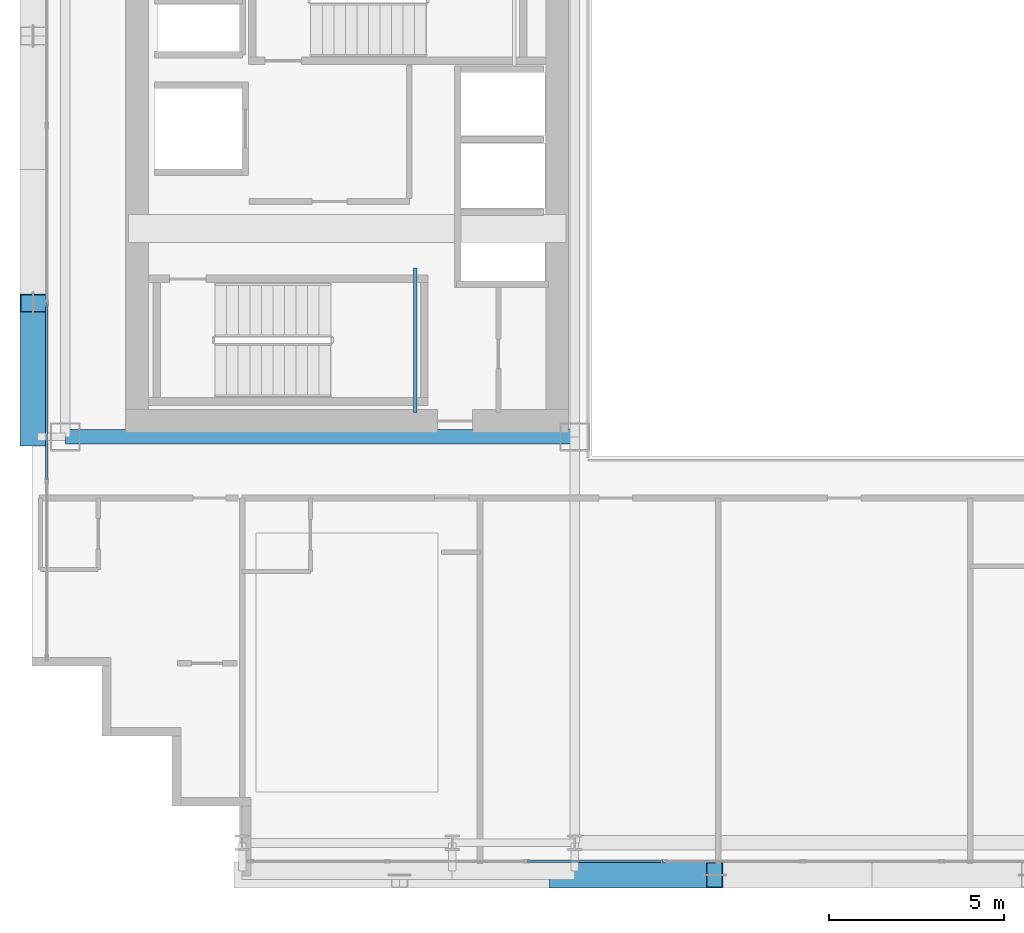
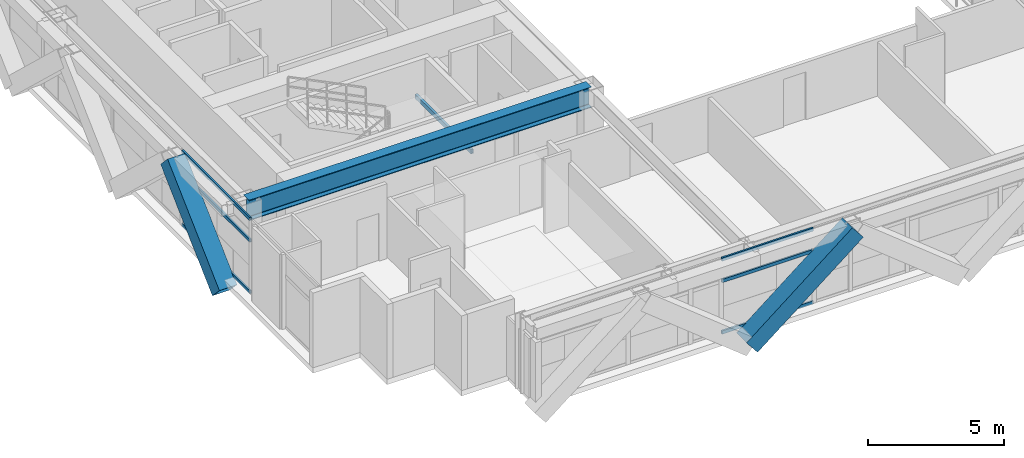
# One storey, part 4 of 35: 8 members, 2 beams, 2 elements without a shape of their own.
"""IFC4 building model written with IfcOpenShell, lengths in metres."""

from ifc_helpers import new_model, si_unit, direction, frame, origin, origin_2d, place, context, subcontext, project, spatial, hollow_rectangle, i_section, extrude, source, transform, mapped, material, layer, layer_set, material_profile, profile_set, type_object, element, aggregate, save


model = new_model("IFC4")

# Units and contexts
model_context = context("Model", 3, precision=1e-05, world=origin(), true_north=direction((0.0, 1.0)))
body_context = subcontext(model_context, "Body", "Model", "MODEL_VIEW")
ifc_project = project(units=[si_unit("LENGTHUNIT", "METRE"), si_unit("AREAUNIT", "SQUARE_METRE"), si_unit("VOLUMEUNIT", "CUBIC_METRE"), si_unit("PLANEANGLEUNIT", "RADIAN"), si_unit("MASSUNIT", "GRAM", prefix="KILO")], contexts=[model_context])

# Site, building, storey
site_placement = place(None, origin())
site = spatial("IfcSite", under=ifc_project, at=site_placement, CompositionType="ELEMENT")
building_placement = place(site_placement, origin())
building = spatial("IfcBuilding", under=site, at=building_placement, Name="Ocotamira Hotel", CompositionType="ELEMENT")
storey_placement = place(building_placement, frame((0.0, 0.0, 140.39990234375)))
storey = spatial("IfcBuildingStorey", under=building, at=storey_placement, Name="L35", CompositionType="ELEMENT", Elevation=140.39990234375)

# Beams
ifc_material_1 = material(Name="Steel ASTM A500 Grade C", Category="steel")
ifc_material_profile_1 = material_profile(ifc_material_1, hollow_rectangle(XDim=0.10009765625, YDim=0.199951171875, WallThickness=0.008056640625, at=origin_2d()), Name="HSS200X100X8")
ifc_profile_set_1 = profile_set([ifc_material_profile_1], Name="Steel ASTM A500 Grade C")
beam_type_1 = type_object("IfcBeamType", Name="BM-STLDG-HSS200", PredefinedType="BEAM", material=ifc_profile_set_1)
shared_shape_1 = source(origin(), body_context, "Body", "SweptSolid", [
    extrude(hollow_rectangle(XDim=0.10009765625, YDim=0.199951171875, WallThickness=0.008056640625, at=origin_2d()), origin(), (0.0, 0.0, 1.0), 4.1201171875),
])
beam_1_placement = place(storey_placement, frame((18.949951171875, 15.25, 1.5), z_axis=(0.0, 1.0, 0.0), x_axis=(-1.0, 0.0, 0.0)))
element("IfcBeam", 1, at=beam_1_placement, inside=storey, type_object=beam_type_1, Name="L35 Stair ST-1 Landing Bearer 1", PredefinedType="BEAM", context=body_context, shape_type="MappedRepresentation", body=[
    mapped(shared_shape_1, transform((0.0, 0.0, 0.0), scale=1.0)),
])
ifc_material_2 = material(Name="Steel ASTM A992 Grade 50", Category="steel")
ifc_material_profile_2 = material_profile(ifc_material_2, i_section(OverallWidth=0.41796875, OverallDepth=0.927001953125, WebThickness=0.019287109375, FlangeThickness=0.031982421875, FilletRadius=0.02392578125, at=origin_2d()), Name="W36X231")
ifc_profile_set_2 = profile_set([ifc_material_profile_2], Name="Steel ASTM A992 Grade 50")
beam_type_2 = type_object("IfcBeamType", Name="BM-GIRD-W36X231", PredefinedType="BEAM", material=ifc_profile_set_2)
shared_shape_2 = source(origin(), body_context, "Body", "SweptSolid", [
    extrude(i_section(OverallWidth=0.41796875, OverallDepth=0.927001953125, WebThickness=0.019287109375, FlangeThickness=0.031982421875, FilletRadius=0.02392578125, at=origin_2d()), origin(), (0.0, 0.0, 1.0), 14.550048828125),
])
beam_2_placement = place(storey_placement, frame((8.949951171875, 14.550048828125, 2.896484375), z_axis=(1.0, 0.0, 0.0), x_axis=(0.0, 1.0, 0.0)))
element("IfcBeam", 2, at=beam_2_placement, inside=storey, type_object=beam_type_2, Name="L35 Girder Y14.55 X8.95-23.5", PredefinedType="BEAM", context=body_context, shape_type="MappedRepresentation", body=[
    mapped(shared_shape_2, transform((0.0, 0.0, 0.0), scale=1.0)),
])

# Members
ifc_material_3 = material(Name="Pale-metal coated steel ASTM A913 Grade 65", Category="steel")
ifc_material_profile_3 = material_profile(ifc_material_3, hollow_rectangle(XDim=0.75, YDim=0.75, WallThickness=0.028076171875, at=origin_2d()), Name="BOX750X750X28")
ifc_profile_set_3 = profile_set([ifc_material_profile_3], Name="Pale-metal coated steel ASTM A913 Grade 65")
member_type_1 = type_object("IfcMemberType", Name="MEM-EXO-BOX750", PredefinedType="BRACE", material=ifc_profile_set_3)
shared_shape_3 = source(origin(), body_context, "Body", "SweptSolid", [
    extrude(hollow_rectangle(XDim=0.75, YDim=0.75, WallThickness=0.028076171875, at=origin_2d()), origin(), (0.0, 0.0, 1.0), 5.762939453125),
])
member_1_placement = place(storey_placement, frame((23.0, 2.030029296875, -0.489990234375), z_axis=(0.780860543151, 0.0, 0.624705380279), x_axis=(0.0, 1.0, 0.0)))
element("IfcMember", 3, at=member_1_placement, inside=storey, type_object=member_type_1, Name="L35 Exoskeleton Diagrid S1.1", PredefinedType="BRACE", context=body_context, shape_type="MappedRepresentation", body=[
    mapped(shared_shape_3, transform((0.0, 0.0, 0.0), scale=1.0)),
])
shared_shape_4 = source(origin(), body_context, "Body", "SweptSolid", [
    extrude(hollow_rectangle(XDim=0.75, YDim=0.75, WallThickness=0.028076171875, at=origin_2d()), origin(), (0.0, 0.0, 1.0), 5.24658203125),
])
member_2_placement = place(storey_placement, frame((8.030029296875, 14.550048828125, -0.489990234375), z_axis=(0.0, 0.727442733726, 0.686168397078), x_axis=(-1.0, 0.0, 0.0)))
element("IfcMember", 4, at=member_2_placement, inside=storey, type_object=member_type_1, Name="L35 Exoskeleton Diagrid W0.1", PredefinedType="BRACE", context=body_context, shape_type="MappedRepresentation", body=[
    mapped(shared_shape_4, transform((0.0, 0.0, 0.0), scale=1.0)),
])

# Curtain wall, members
ifc_material_4 = material(Name="Anodised pale-metal aluminium and solar glass", Category="aluminium")
ifc_layer = layer(ifc_material_4, 0.179931640625)
ifc_layer_set = layer_set([ifc_layer], Name="Anodised pale-metal aluminium and solar glass")
curtain_wall_type = type_object("IfcCurtainWallType", Name="CW-SYS3-Z2", PredefinedType="NOTDEFINED", material=ifc_layer_set)
curtain_wall_1_placement = place(storey_placement, origin())
curtain_wall_1 = element("IfcCurtainWall", 5, at=curtain_wall_1_placement, inside=storey, type_object=curtain_wall_type, Name="L35 Curtain Wall CW-3 CW-L35-S1", PredefinedType="NOTDEFINED")
ifc_material_5 = material(Name="Anodised pale-metal aluminium 6063-T6", Category="aluminium")
ifc_material_profile_4 = material_profile(ifc_material_5, hollow_rectangle(XDim=0.074951171875, YDim=0.14990234375, WallThickness=0.006103515625, at=origin_2d()), Name="HSS150X75X6")
ifc_profile_set_4 = profile_set([ifc_material_profile_4], Name="Anodised pale-metal aluminium 6063-T6")
member_type_2 = type_object("IfcMemberType", Name="CWT-150X75", PredefinedType="USERDEFINED", material=ifc_profile_set_4)
shared_shape_5 = source(origin(), body_context, "Body", "SweptSolid", [
    extrude(hollow_rectangle(XDim=0.074951171875, YDim=0.14990234375, WallThickness=0.006103515625, at=origin_2d()), origin(), (0.0, 0.0, 1.0), 3.87548828125),
])
member_3_placement = place(storey_placement, frame((22.151123046875, 2.419921875, 0.03759765625), z_axis=(1.0, 0.0, 0.0), x_axis=(0.0, 1.0, 0.0)))
member_3 = element("IfcMember", 6, at=member_3_placement, type_object=member_type_2, Name="CW-3 transom 3.1", ObjectType="TRANSOM", PredefinedType="USERDEFINED", context=body_context, shape_type="MappedRepresentation", body=[
    mapped(shared_shape_5, transform((0.0, 0.0, 0.0), scale=1.0)),
])
member_4_placement = place(storey_placement, frame((22.151123046875, 2.419921875, 2.35009765625), z_axis=(1.0, 0.0, 0.0), x_axis=(0.0, 1.0, 0.0)))
member_4 = element("IfcMember", 7, at=member_4_placement, type_object=member_type_2, Name="CW-3 transom 3.2", ObjectType="TRANSOM", PredefinedType="USERDEFINED", context=body_context, shape_type="MappedRepresentation", body=[
    mapped(shared_shape_5, transform((0.0, 0.0, 0.0), scale=1.0)),
])
member_5_placement = place(storey_placement, frame((22.151123046875, 2.419921875, 3.322509765625), z_axis=(1.0, 0.0, 0.0), x_axis=(0.0, 1.0, 0.0)))
member_5 = element("IfcMember", 8, at=member_5_placement, type_object=member_type_2, Name="CW-3 transom 3.3", ObjectType="TRANSOM", PredefinedType="USERDEFINED", context=body_context, shape_type="MappedRepresentation", body=[
    mapped(shared_shape_5, transform((0.0, 0.0, 0.0), scale=1.0)),
])
aggregate(curtain_wall_1, [member_3, member_4, member_5])

curtain_wall_2_placement = place(storey_placement, origin())
curtain_wall_2 = element("IfcCurtainWall", 9, at=curtain_wall_2_placement, inside=storey, type_object=curtain_wall_type, Name="L35 Curtain Wall CW-3 CW-L35-W", PredefinedType="NOTDEFINED")
shared_shape_6 = source(origin(), body_context, "Body", "SweptSolid", [
    extrude(hollow_rectangle(XDim=0.074951171875, YDim=0.14990234375, WallThickness=0.006103515625, at=origin_2d()), origin(), (0.0, 0.0, 1.0), 5.005859375),
])
member_6_placement = place(storey_placement, frame((8.419921875, 13.32568359375, 0.03759765625), z_axis=(0.0, 1.0, 0.0), x_axis=(-1.0, 0.0, 0.0)))
member_6 = element("IfcMember", 10, at=member_6_placement, type_object=member_type_2, Name="CW-3 transom 2.1", ObjectType="TRANSOM", PredefinedType="USERDEFINED", context=body_context, shape_type="MappedRepresentation", body=[
    mapped(shared_shape_6, transform((0.0, 0.0, 0.0), scale=1.0)),
])
member_7_placement = place(storey_placement, frame((8.419921875, 13.32568359375, 2.35009765625), z_axis=(0.0, 1.0, 0.0), x_axis=(-1.0, 0.0, 0.0)))
member_7 = element("IfcMember", 11, at=member_7_placement, type_object=member_type_2, Name="CW-3 transom 2.2", ObjectType="TRANSOM", PredefinedType="USERDEFINED", context=body_context, shape_type="MappedRepresentation", body=[
    mapped(shared_shape_6, transform((0.0, 0.0, 0.0), scale=1.0)),
])
member_8_placement = place(storey_placement, frame((8.419921875, 13.32568359375, 3.322509765625), z_axis=(0.0, 1.0, 0.0), x_axis=(-1.0, 0.0, 0.0)))
member_8 = element("IfcMember", 12, at=member_8_placement, type_object=member_type_2, Name="CW-3 transom 2.3", ObjectType="TRANSOM", PredefinedType="USERDEFINED", context=body_context, shape_type="MappedRepresentation", body=[
    mapped(shared_shape_6, transform((0.0, 0.0, 0.0), scale=1.0)),
])
aggregate(curtain_wall_2, [member_6, member_7, member_8])

save(model, "model.ifc")
